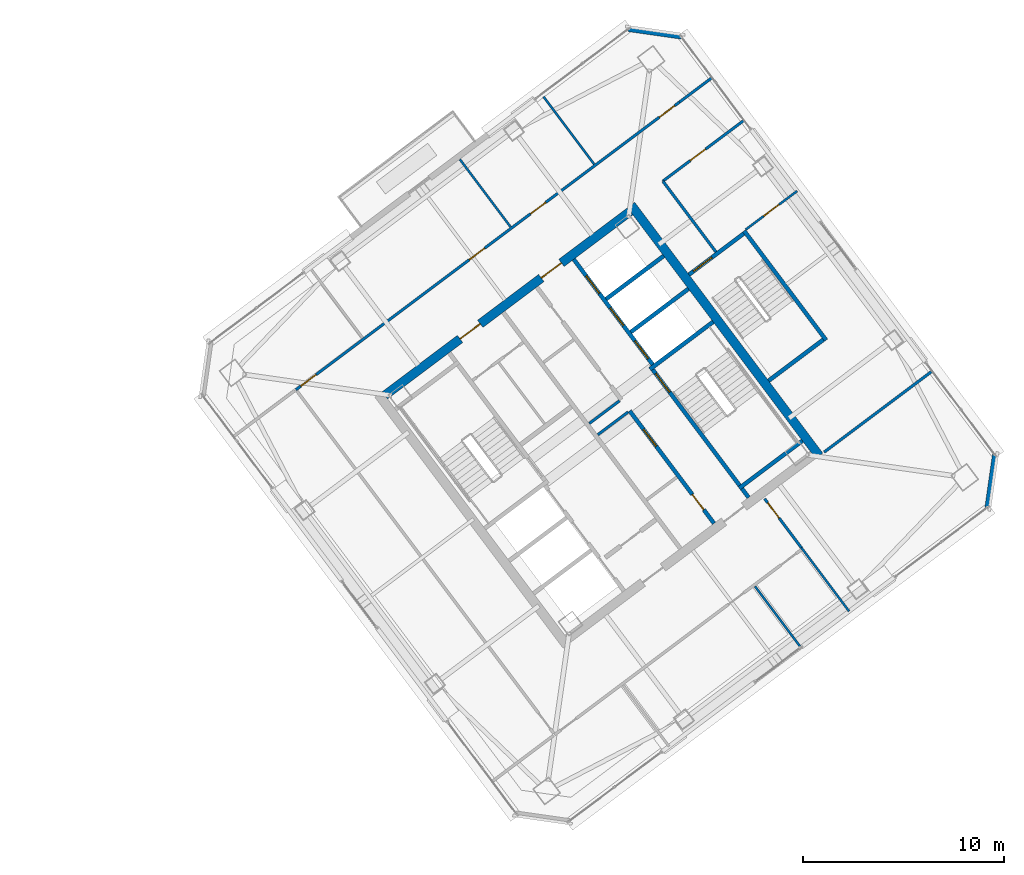
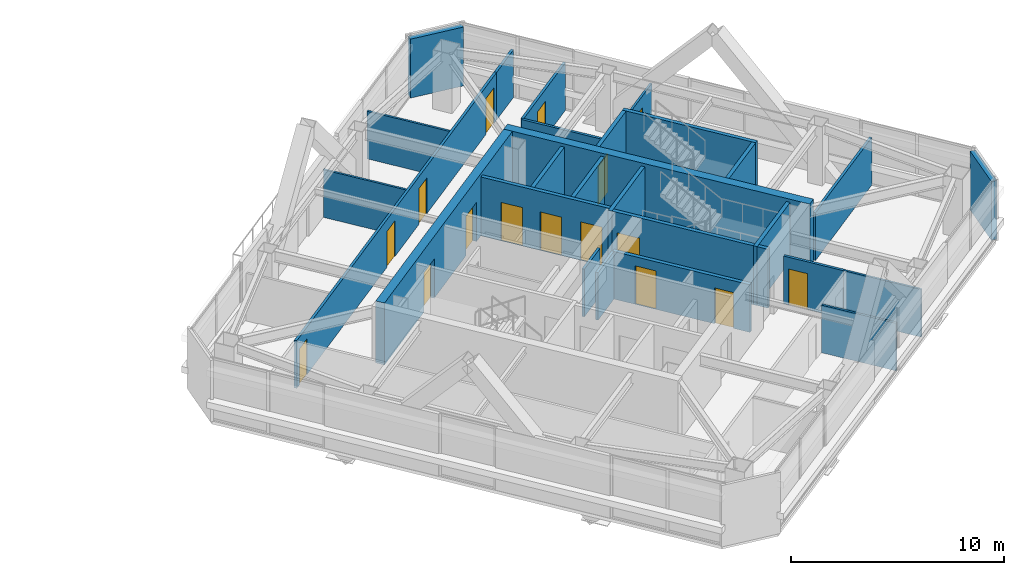
# One storey, part 33 of 39: 27 walls, 16 doors, 16 openings.
"""IFC4 building model written with IfcOpenShell, lengths in metres."""

from ifc_helpers import new_model, si_unit, direction, frame, frame_2d, origin, place, context, subcontext, project, spatial, rectangle, extrude, material, layer, layer_set, type_object, element, fill, save


model = new_model("IFC4")

# Units and contexts
model_context = context("Model", 3, precision=1e-05, world=origin(), true_north=direction((0.0, 1.0)))
body_context = subcontext(model_context, "Body", "Model", "MODEL_VIEW")
ifc_project = project(units=[si_unit("LENGTHUNIT", "METRE"), si_unit("AREAUNIT", "SQUARE_METRE"), si_unit("VOLUMEUNIT", "CUBIC_METRE"), si_unit("PLANEANGLEUNIT", "RADIAN"), si_unit("MASSUNIT", "GRAM", prefix="KILO")], contexts=[model_context])

# Site, building, storey
site_placement = place(None, origin())
site = spatial("IfcSite", under=ifc_project, at=site_placement, CompositionType="ELEMENT")
building_placement = place(site_placement, origin())
building = spatial("IfcBuilding", under=site, at=building_placement, Name="Tashvorn Skyway Center", CompositionType="ELEMENT")
storey_placement = place(building_placement, frame((0.0, 0.0, 239.699951171875)))
storey = spatial("IfcBuildingStorey", under=building, at=storey_placement, Name="L65", CompositionType="ELEMENT", Elevation=239.699951171875)

# Wall
ifc_material_1 = material(Name="Concrete C50/60", Category="concrete")
ifc_layer_1 = layer(ifc_material_1, 0.449951171875)
ifc_layer_set_1 = layer_set([ifc_layer_1], Name="Concrete C50/60")
wall_type_1 = type_object("IfcWallType", Name="WALL-CORE-450", PredefinedType="SHEAR", material=ifc_layer_set_1)
wall_1_placement = place(storey_placement, frame((115.60400390625, 42.952880859375, 0.0), z_axis=(0.0, 0.0, 1.0), x_axis=(0.600005007985, -0.799996243986, 0.0)))
element("IfcWall", 1, at=wall_1_placement, inside=storey, type_object=wall_type_1, Name="Tower 2 L65 East Core Shear Wall", PredefinedType="SHEAR", context=body_context, shape_type="SweptSolid", body=[
    extrude(rectangle(XDim=15.60009765625, YDim=0.449951171875, at=frame_2d((7.800048828125, 0.0))), origin(), (0.0, 0.0, 1.0), 3.550048828125),
])

# Wall, openings, doors
wall_2_placement = place(storey_placement, frame((103.35107421875, 33.48193359375, 0.0), z_axis=(0.0, 0.0, 1.0), x_axis=(0.8, 0.6, 0.0)))
wall_2 = element("IfcWall", 2, at=wall_2_placement, inside=storey, type_object=wall_type_1, Name="Tower 2 L65 North Core Shear Wall", PredefinedType="SHEAR", context=body_context, shape_type="SweptSolid", body=[
    extrude(rectangle(XDim=15.260009765625, YDim=0.449951171875, at=frame_2d((7.6298828125, 0.0))), origin(), (0.0, 0.0, 1.0), 3.550048828125),
])
opening_1_placement = place(wall_2_placement, frame((4.679931640625, 0.0, 0.0)))
opening_1 = element("IfcOpeningElement", 3, at=opening_1_placement, cuts=wall_2, Name="Opening D-FFL-1250", PredefinedType="OPENING", context=body_context, shape_type="SweptSolid", body=[
    extrude(rectangle(XDim=1.25, YDim=2.25, at=frame_2d((0.625, 1.125))), frame((0.0, 0.23486328125, 0.0), z_axis=(0.0, -1.0, 0.0), x_axis=(1.0, 0.0, 0.0)), (0.0, 0.0, 1.0), 0.469970703125),
])
opening_2_placement = place(wall_2_placement, frame((9.72998046875, 0.0, 0.0)))
opening_2 = element("IfcOpeningElement", 4, at=opening_2_placement, cuts=wall_2, Name="Opening D-FFL-1250", PredefinedType="OPENING", context=body_context, shape_type="SweptSolid", body=[
    extrude(rectangle(XDim=1.25, YDim=2.25, at=frame_2d((0.625, 1.125))), frame((0.0, 0.23486328125, 0.0), z_axis=(0.0, -1.0, 0.0), x_axis=(1.0, 0.0, 0.0)), (0.0, 0.0, 1.0), 0.469970703125),
])
ifc_material_2 = material(Name="Hollow galvanized steel fire door assembly", Category="steel")
door_type_1 = type_object("IfcDoorType", Name="DOOR-FFL-1250", OperationType="NOTDEFINED", PredefinedType="DOOR", material=ifc_material_2)
door_1_placement = place(opening_1_placement, origin())
door_1 = element("IfcDoor", 5, at=door_1_placement, inside=storey, type_object=door_type_1, Name="Tower 2 L65 Core North Service Lobby Door", OperationType="SINGLE_SWING_LEFT", OverallHeight=2.25, OverallWidth=1.25, PredefinedType="DOOR", context=body_context, shape_type="SweptSolid", body=[
    extrude(rectangle(XDim=1.25, YDim=2.25, at=frame_2d((0.625, 1.125))), frame((0.0, 0.02490234375, 0.0), z_axis=(0.0, -1.0, 0.0), x_axis=(1.0, 0.0, 0.0)), (0.0, 0.0, 1.0), 0.050048828125),
])
fill(opening_1, door_1)
door_2_placement = place(opening_2_placement, origin())
door_2 = element("IfcDoor", 6, at=door_2_placement, inside=storey, type_object=door_type_1, Name="Tower 2 L65 Core North Lift Lobby Door", OperationType="SINGLE_SWING_RIGHT", OverallHeight=2.25, OverallWidth=1.25, PredefinedType="DOOR", context=body_context, shape_type="SweptSolid", body=[
    extrude(rectangle(XDim=1.25, YDim=2.25, at=frame_2d((0.625, 1.125))), frame((0.0, 0.02490234375, 0.0), z_axis=(0.0, -1.0, 0.0), x_axis=(1.0, 0.0, 0.0)), (0.0, 0.0, 1.0), 0.050048828125),
])
fill(opening_2, door_2)

# Walls
ifc_material_3 = material(Name="Precast concrete C40/50", Category="concrete")
ifc_layer_2 = layer(ifc_material_3, 0.280029296875)
ifc_layer_set_2 = layer_set([ifc_layer_2], Name="Precast concrete C40/50")
wall_type_2 = type_object("IfcWallType", Name="WALL-EXT-280", PredefinedType="SOLIDWALL", material=ifc_layer_set_2)
for number, where, z_axis, x_axis, name in (
    (7, (115.4599609375, 51.719970703125, 0.0), (0.0, 0.0, 1.0), (0.989956760759, -0.141370477216, 0.0), "Tower 2 L65 NE Precast Chamfer Wall"),
    (8, (133.719970703125, 30.5400390625, 0.0), (0.0, 0.0, 1.0), (-0.141370477216, -0.989956760759, 0.0), "Tower 2 L65 SE Precast Chamfer Wall"),
):
    element("IfcWall", number, at=place(storey_placement, frame(where, z_axis=z_axis, x_axis=x_axis)), inside=storey, type_object=wall_type_2, Name=name, PredefinedType="SOLIDWALL", context=body_context, shape_type="SweptSolid", body=[
        extrude(rectangle(XDim=2.687255859375, YDim=0.280029296875, at=frame_2d((1.34375, 0.0))), origin(), (0.0, 0.0, 1.0), 3.3701171875),
    ])
ifc_material_4 = material(Name="Gypsum board on cold-formed steel stud framing", Category="steel")
ifc_layer_3 = layer(ifc_material_4, 0.110107421875)
ifc_layer_set_3 = layer_set([ifc_layer_3], Name="Gypsum board on cold-formed steel stud framing")
wall_type_3 = type_object("IfcWallType", Name="WALL-PART-110", PredefinedType="PARTITIONING", material=ifc_layer_set_3)
for number, where, z_axis, x_axis, name in (
    (9, (109.60205078125, 41.864013671875, 0.0), (0.0, 0.0, 1.0), (-0.59999069958, 0.80000697523, 0.0), "Tower 2 L65 North Suite Partition 2"),
    (10, (113.761962890625, 44.98388671875, 0.0), (0.0, 0.0, 1.0), (-0.59999069958, 0.80000697523, 0.0), "Tower 2 L65 North Suite Partition 3"),
):
    element("IfcWall", number, at=place(storey_placement, frame(where, z_axis=z_axis, x_axis=x_axis)), inside=storey, type_object=wall_type_3, Name=name, PredefinedType="PARTITIONING", context=body_context, shape_type="SweptSolid", body=[
        extrude(rectangle(XDim=4.2001953125, YDim=0.110107421875, at=frame_2d((2.10009765625, 0.0))), origin(), (0.0, 0.0, 1.0), 2.72314453125),
    ])
wall_3_placement = place(storey_placement, frame((124.048095703125, 20.93603515625, 0.0), z_axis=(0.0, 0.0, 1.0), x_axis=(-0.6, 0.8, 0.0)))
element("IfcWall", 11, at=wall_3_placement, inside=storey, type_object=wall_type_3, Name="Tower 2 L65 South Suite Partition 2", PredefinedType="PARTITIONING", context=body_context, shape_type="SweptSolid", body=[
    extrude(rectangle(XDim=3.800048828125, YDim=0.110107421875, at=frame_2d((1.89990234375, 0.0))), origin(), (0.0, 0.0, 1.0), 2.72314453125),
])
wall_4_placement = place(storey_placement, frame((126.447998046875, 22.736083984375, 0.0), z_axis=(0.0, 0.0, 1.0), x_axis=(-0.6, 0.8, 0.0)))
element("IfcWall", 12, at=wall_4_placement, inside=storey, type_object=wall_type_3, Name="Tower 2 L65 South-East Suite Wall", PredefinedType="PARTITIONING", context=body_context, shape_type="SweptSolid", body=[
    extrude(rectangle(XDim=3.9599609375, YDim=0.110107421875, at=frame_2d((1.97998046875, 0.0))), origin(), (0.0, 0.0, 1.0), 2.72314453125),
])

# Wall, opening, door
wall_5_placement = place(storey_placement, frame((123.864013671875, 43.64794921875, 0.0), z_axis=(0.0, 0.0, 1.0), x_axis=(-0.800018310174, -0.599975585658, 0.0)))
wall_5 = element("IfcWall", 13, at=wall_5_placement, inside=storey, type_object=wall_type_3, Name="Tower 2 L65 East Suite Partition 1", PredefinedType="PARTITIONING", context=body_context, shape_type="SweptSolid", body=[
    extrude(rectangle(XDim=3.199951171875, YDim=0.110107421875, at=frame_2d((1.60009765625, 0.0))), origin(), (0.0, 0.0, 1.0), 2.72314453125),
])
opening_3_placement = place(wall_5_placement, frame((1.125, 0.0, 0.0)))
opening_3 = element("IfcOpeningElement", 14, at=opening_3_placement, cuts=wall_5, Name="Opening D-INT-950", PredefinedType="OPENING", context=body_context, shape_type="SweptSolid", body=[
    extrude(rectangle(XDim=0.949951171875, YDim=2.050048828125, at=frame_2d((0.47509765625, 1.02490234375))), frame((0.0, 0.06494140625, 0.0), z_axis=(0.0, -1.0, 0.0), x_axis=(1.0, 0.0, 0.0)), (0.0, 0.0, 1.0), 0.130126953125),
])
ifc_material_5 = material(Name="Solid-core architectural oak veneer door")
door_type_2 = type_object("IfcDoorType", Name="DOOR-INT-950", OperationType="NOTDEFINED", PredefinedType="DOOR", material=ifc_material_5)
door_3_placement = place(opening_3_placement, origin())
door_3 = element("IfcDoor", 15, at=door_3_placement, inside=storey, type_object=door_type_2, Name="Tower 2 L65 Collaborative Studio Door", OperationType="SINGLE_SWING_RIGHT", OverallHeight=2.050048828125, OverallWidth=0.949951171875, PredefinedType="DOOR", context=body_context, shape_type="SweptSolid", body=[
    extrude(rectangle(XDim=0.949951171875, YDim=2.050048828125, at=frame_2d((0.47509765625, 1.02490234375))), frame((0.0, 0.02490234375, 0.0), z_axis=(0.0, -1.0, 0.0), x_axis=(1.0, 0.0, 0.0)), (0.0, 0.0, 1.0), 0.050048828125),
])
fill(opening_3, door_3)

# Wall
ifc_layer_4 = layer(ifc_material_4, 0.135009765625)
ifc_layer_set_4 = layer_set([ifc_layer_4], Name="Gypsum board on cold-formed steel stud framing")
wall_type_4 = type_object("IfcWallType", Name="WALL-PART-135", PredefinedType="PARTITIONING", material=ifc_layer_set_4)
wall_6_placement = place(storey_placement, frame((119.823974609375, 40.617919921875, 0.0), z_axis=(0.0, 0.0, 1.0), x_axis=(-0.599982243973, 0.800013316712, 0.0)))
element("IfcWall", 16, at=wall_6_placement, inside=storey, type_object=wall_type_4, Name="Tower 2 L65 Stair 3 Access Corridor Wall", PredefinedType="PARTITIONING", context=body_context, shape_type="SweptSolid", body=[
    extrude(rectangle(XDim=4.39990234375, YDim=0.135009765625, at=frame_2d((2.199951171875, 0.0))), origin(), (0.0, 0.0, 1.0), 2.72314453125),
])

# Wall, openings, doors
wall_7_placement = place(storey_placement, frame((98.929931640625, 33.760009765625, 0.0), z_axis=(0.0, 0.0, 1.0), x_axis=(0.8, 0.6, 0.0)))
wall_7 = element("IfcWall", 17, at=wall_7_placement, inside=storey, type_object=wall_type_4, Name="Tower 2 L65 North Suite Wall", PredefinedType="PARTITIONING", context=body_context, shape_type="SweptSolid", body=[
    extrude(rectangle(XDim=23.85009765625, YDim=0.135009765625, at=frame_2d((11.925048828125, 0.0))), origin(), (0.0, 0.0, 1.0), 2.72314453125),
])
opening_4_placement = place(wall_7_placement, frame((0.300048828125, 0.0, 0.0)))
opening_4 = element("IfcOpeningElement", 18, at=opening_4_placement, cuts=wall_7, Name="Opening D-INT-950", PredefinedType="OPENING", context=body_context, shape_type="SweptSolid", body=[
    extrude(rectangle(XDim=0.949951171875, YDim=2.050048828125, at=frame_2d((0.47509765625, 1.02490234375))), frame((0.0, 0.077392578125, 0.0), z_axis=(0.0, -1.0, 0.0), x_axis=(1.0, 0.0, 0.0)), (0.0, 0.0, 1.0), 0.155029296875),
])
opening_5_placement = place(wall_7_placement, frame((10.778564453125, 0.0, 0.0)))
opening_5 = element("IfcOpeningElement", 19, at=opening_5_placement, cuts=wall_7, Name="Opening D-INT-950", PredefinedType="OPENING", context=body_context, shape_type="SweptSolid", body=[
    extrude(rectangle(XDim=0.949951171875, YDim=2.050048828125, at=frame_2d((0.47509765625, 1.02490234375))), frame((0.0, 0.077392578125, 0.0), z_axis=(0.0, -1.0, 0.0), x_axis=(1.0, 0.0, 0.0)), (0.0, 0.0, 1.0), 0.155029296875),
])
opening_6_placement = place(wall_7_placement, frame((14.58544921875, 0.0, 0.0)))
opening_6 = element("IfcOpeningElement", 20, at=opening_6_placement, cuts=wall_7, Name="Opening D-INT-950", PredefinedType="OPENING", context=body_context, shape_type="SweptSolid", body=[
    extrude(rectangle(XDim=0.949951171875, YDim=2.050048828125, at=frame_2d((0.47509765625, 1.02490234375))), frame((0.0, 0.077392578125, 0.0), z_axis=(0.0, -1.0, 0.0), x_axis=(1.0, 0.0, 0.0)), (0.0, 0.0, 1.0), 0.155029296875),
])
opening_7_placement = place(wall_7_placement, frame((22.60009765625, 0.0, 0.0)))
opening_7 = element("IfcOpeningElement", 21, at=opening_7_placement, cuts=wall_7, Name="Opening D-INT-950", PredefinedType="OPENING", context=body_context, shape_type="SweptSolid", body=[
    extrude(rectangle(XDim=0.949951171875, YDim=2.050048828125, at=frame_2d((0.47509765625, 1.02490234375))), frame((0.0, 0.077392578125, 0.0), z_axis=(0.0, -1.0, 0.0), x_axis=(1.0, 0.0, 0.0)), (0.0, 0.0, 1.0), 0.155029296875),
])
door_4_placement = place(opening_4_placement, origin())
door_4 = element("IfcDoor", 22, at=door_4_placement, inside=storey, type_object=door_type_2, Name="Tower 2 L65 Gallery Showroom Door", OperationType="SINGLE_SWING_LEFT", OverallHeight=2.050048828125, OverallWidth=0.949951171875, PredefinedType="DOOR", context=body_context, shape_type="SweptSolid", body=[
    extrude(rectangle(XDim=0.949951171875, YDim=2.050048828125, at=frame_2d((0.47509765625, 1.02490234375))), frame((0.0, 0.02490234375, 0.0), z_axis=(0.0, -1.0, 0.0), x_axis=(1.0, 0.0, 0.0)), (0.0, 0.0, 1.0), 0.050048828125),
])
fill(opening_4, door_4)
door_5_placement = place(opening_5_placement, origin())
door_5 = element("IfcDoor", 23, at=door_5_placement, inside=storey, type_object=door_type_2, Name="Tower 2 L65 Gallery Showroom Door", OperationType="SINGLE_SWING_RIGHT", OverallHeight=2.050048828125, OverallWidth=0.949951171875, PredefinedType="DOOR", context=body_context, shape_type="SweptSolid", body=[
    extrude(rectangle(XDim=0.949951171875, YDim=2.050048828125, at=frame_2d((0.47509765625, 1.02490234375))), frame((0.0, 0.02490234375, 0.0), z_axis=(0.0, -1.0, 0.0), x_axis=(1.0, 0.0, 0.0)), (0.0, 0.0, 1.0), 0.050048828125),
])
fill(opening_5, door_5)
door_6_placement = place(opening_6_placement, origin())
door_6 = element("IfcDoor", 24, at=door_6_placement, inside=storey, type_object=door_type_2, Name="Tower 2 L65 Reading Lounge Door", OperationType="SINGLE_SWING_LEFT", OverallHeight=2.050048828125, OverallWidth=0.949951171875, PredefinedType="DOOR", context=body_context, shape_type="SweptSolid", body=[
    extrude(rectangle(XDim=0.949951171875, YDim=2.050048828125, at=frame_2d((0.47509765625, 1.02490234375))), frame((0.0, 0.02490234375, 0.0), z_axis=(0.0, -1.0, 0.0), x_axis=(1.0, 0.0, 0.0)), (0.0, 0.0, 1.0), 0.050048828125),
])
fill(opening_6, door_6)
door_7_placement = place(opening_7_placement, origin())
door_7 = element("IfcDoor", 25, at=door_7_placement, inside=storey, type_object=door_type_2, Name="Tower 2 L65 Conference Room Door", OperationType="SINGLE_SWING_RIGHT", OverallHeight=2.050048828125, OverallWidth=0.949951171875, PredefinedType="DOOR", context=body_context, shape_type="SweptSolid", body=[
    extrude(rectangle(XDim=0.949951171875, YDim=2.050048828125, at=frame_2d((0.47509765625, 1.02490234375))), frame((0.0, 0.02490234375, 0.0), z_axis=(0.0, -1.0, 0.0), x_axis=(1.0, 0.0, 0.0)), (0.0, 0.0, 1.0), 0.050048828125),
])
fill(opening_7, door_7)

# Wall
wall_8_placement = place(storey_placement, frame((118.010009765625, 48.070068359375, 0.0), z_axis=(0.0, 0.0, 1.0), x_axis=(0.8, 0.6, 0.0)))
element("IfcWall", 26, at=wall_8_placement, inside=storey, type_object=wall_type_4, Name="Tower 2 L65 North-East Suite South Wall", PredefinedType="PARTITIONING", context=body_context, shape_type="SweptSolid", body=[
    extrude(rectangle(XDim=2.030029296875, YDim=0.135009765625, at=frame_2d((1.01513671875, 0.0))), origin(), (0.0, 0.0, 1.0), 2.72314453125),
])

# Wall, opening, door
wall_9_placement = place(storey_placement, frame((122.248046875, 28.3359375, 0.0), z_axis=(0.0, 0.0, 1.0), x_axis=(0.600012849883, -0.799990362426, 0.0)))
wall_9 = element("IfcWall", 27, at=wall_9_placement, inside=storey, type_object=wall_type_4, Name="Tower 2 L65 South Gallery End Wall", PredefinedType="PARTITIONING", context=body_context, shape_type="SweptSolid", body=[
    extrude(rectangle(XDim=3.039794921875, YDim=0.135009765625, at=frame_2d((1.52001953125, 0.0))), origin(), (0.0, 0.0, 1.0), 2.72314453125),
])
opening_8_placement = place(wall_9_placement, frame((0.25, 0.0, 0.0)))
opening_8 = element("IfcOpeningElement", 28, at=opening_8_placement, cuts=wall_9, Name="Opening D-INT-950", PredefinedType="OPENING", context=body_context, shape_type="SweptSolid", body=[
    extrude(rectangle(XDim=0.949951171875, YDim=2.050048828125, at=frame_2d((0.47509765625, 1.02490234375))), frame((0.0, 0.077392578125, 0.0), z_axis=(0.0, -1.0, 0.0), x_axis=(1.0, 0.0, 0.0)), (0.0, 0.0, 1.0), 0.155029296875),
])
door_8_placement = place(opening_8_placement, origin())
door_8 = element("IfcDoor", 29, at=door_8_placement, inside=storey, type_object=door_type_2, Name="Tower 2 L65 Conference Room Door", OperationType="SINGLE_SWING_RIGHT", OverallHeight=2.050048828125, OverallWidth=0.949951171875, PredefinedType="DOOR", context=body_context, shape_type="SweptSolid", body=[
    extrude(rectangle(XDim=0.949951171875, YDim=2.050048828125, at=frame_2d((0.47509765625, 1.02490234375))), frame((0.0, 0.02490234375, 0.0), z_axis=(0.0, -1.0, 0.0), x_axis=(1.0, 0.0, 0.0)), (0.0, 0.0, 1.0), 0.050048828125),
])
fill(opening_8, door_8)

wall_10_placement = place(storey_placement, frame((121.22412109375, 47.16796875, 0.0), z_axis=(0.0, 0.0, 1.0), x_axis=(-0.8, -0.6, 0.0)))
wall_10 = element("IfcWall", 30, at=wall_10_placement, inside=storey, type_object=wall_type_4, Name="Tower 2 L65 East Suite North Wall", PredefinedType="PARTITIONING", context=body_context, shape_type="SweptSolid", body=[
    extrude(rectangle(XDim=5.050048828125, YDim=0.135009765625, at=frame_2d((2.52490234375, 0.0))), origin(), (0.0, 0.0, 1.0), 2.72314453125),
])
opening_9_placement = place(wall_10_placement, frame((2.39990234375, 0.0, 0.0)))
opening_9 = element("IfcOpeningElement", 31, at=opening_9_placement, cuts=wall_10, Name="Opening D-INT-950", PredefinedType="OPENING", context=body_context, shape_type="SweptSolid", body=[
    extrude(rectangle(XDim=0.949951171875, YDim=2.050048828125, at=frame_2d((0.47509765625, 1.02490234375))), frame((0.0, 0.077392578125, 0.0), z_axis=(0.0, -1.0, 0.0), x_axis=(1.0, 0.0, 0.0)), (0.0, 0.0, 1.0), 0.155029296875),
])
door_9_placement = place(opening_9_placement, origin())
door_9 = element("IfcDoor", 32, at=door_9_placement, inside=storey, type_object=door_type_2, Name="Tower 2 L65 Conference Room Door", OperationType="SINGLE_SWING_LEFT", OverallHeight=2.050048828125, OverallWidth=0.949951171875, PredefinedType="DOOR", context=body_context, shape_type="SweptSolid", body=[
    extrude(rectangle(XDim=0.949951171875, YDim=2.050048828125, at=frame_2d((0.47509765625, 1.02490234375))), frame((0.0, 0.02490234375, 0.0), z_axis=(0.0, -1.0, 0.0), x_axis=(1.0, 0.0, 0.0)), (0.0, 0.0, 1.0), 0.050048828125),
])
fill(opening_9, door_9)

# Walls
wall_11_placement = place(storey_placement, frame((125.2080078125, 30.656005859375, 0.0), z_axis=(0.0, 0.0, 1.0), x_axis=(0.8, 0.6, 0.0)))
element("IfcWall", 33, at=wall_11_placement, inside=storey, type_object=wall_type_4, Name="Tower 2 L65 East Suite South Wall", PredefinedType="PARTITIONING", context=body_context, shape_type="SweptSolid", body=[
    extrude(rectangle(XDim=6.719970703125, YDim=0.135009765625, at=frame_2d((3.35986328125, 0.0))), origin(), (0.0, 0.0, 1.0), 2.72314453125),
])
ifc_layer_5 = layer(ifc_material_4, 0.135009765625)
ifc_layer_set_5 = layer_set([ifc_layer_5], Name="Gypsum board on cold-formed steel stud framing")
wall_type_5 = type_object("IfcWallType", Name="WALL-RATED-135", PredefinedType="PARTITIONING", material=ifc_layer_set_5)
wall_12_placement = place(storey_placement, frame((113.946044921875, 31.52197265625, 0.0), z_axis=(0.0, 0.0, 1.0), x_axis=(0.8, 0.6, 0.0)))
element("IfcWall", 34, at=wall_12_placement, inside=storey, type_object=wall_type_5, Name="Tower 2 L65 Core Room Partition", PredefinedType="PARTITIONING", context=body_context, shape_type="SweptSolid", body=[
    extrude(rectangle(XDim=1.8798828125, YDim=0.135009765625, at=frame_2d((0.93994140625, 0.0))), origin(), (0.0, 0.0, 1.0), 2.72314453125),
])
wall_13_placement = place(storey_placement, frame((113.52587890625, 32.08203125, 0.0), z_axis=(0.0, 0.0, 1.0), x_axis=(0.800046745961, 0.599937666993, 0.0)))
element("IfcWall", 35, at=wall_13_placement, inside=storey, type_object=wall_type_5, Name="Tower 2 L65 Core Room Partition", PredefinedType="PARTITIONING", context=body_context, shape_type="SweptSolid", body=[
    extrude(rectangle(XDim=1.880126953125, YDim=0.135009765625, at=frame_2d((0.93994140625, 0.0))), origin(), (0.0, 0.0, 1.0), 2.72314453125),
])
ifc_material_6 = material(Name="Concrete C40/50", Category="concrete")
ifc_layer_6 = layer(ifc_material_6, 0.199951171875)
ifc_layer_set_6 = layer_set([ifc_layer_6], Name="Concrete C40/50")
wall_type_6 = type_object("IfcWallType", Name="WALL-SHAFT-200", PredefinedType="SOLIDWALL", material=ifc_layer_set_6)
for number, where, z_axis, x_axis, name in (
    (36, (115.590087890625, 36.6298828125, 0.0), (0.0, 0.0, 1.0), (0.799975449747, 0.600032732276, 0.0), "Tower 2 L65 High-Rise Shaft Divider"),
    (37, (114.360107421875, 38.27001953125, 0.0), (0.0, 0.0, 1.0), (0.800008183455, 0.599989088572, 0.0), "Tower 2 L65 High-Rise Shaft Divider"),
):
    element("IfcWall", number, at=place(storey_placement, frame(where, z_axis=z_axis, x_axis=x_axis)), inside=storey, type_object=wall_type_6, Name=name, PredefinedType="SOLIDWALL", context=body_context, shape_type="SweptSolid", body=[
        extrude(rectangle(XDim=3.580078125, YDim=0.199951171875, at=frame_2d((1.7900390625, 0.0))), origin(), (0.0, 0.0, 1.0), 3.3701171875),
    ])

# Wall, openings, doors
wall_14_placement = place(storey_placement, frame((119.72998046875, 27.110107421875, 0.0), z_axis=(0.0, 0.0, 1.0), x_axis=(-0.600005580459, 0.799995814625, 0.0)))
wall_14 = element("IfcWall", 38, at=wall_14_placement, inside=storey, type_object=wall_type_6, Name="Tower 2 L65 Low-Rise Core Wall", PredefinedType="SOLIDWALL", context=body_context, shape_type="SweptSolid", body=[
    extrude(rectangle(XDim=6.999755859375, YDim=0.199951171875, at=frame_2d((3.5, 0.0))), origin(), (0.0, 0.0, 1.0), 2.72314453125),
])
opening_10_placement = place(wall_14_placement, frame((0.85009765625, 0.0, 0.0)))
opening_10 = element("IfcOpeningElement", 39, at=opening_10_placement, cuts=wall_14, Name="Opening D-RT-950", PredefinedType="OPENING", context=body_context, shape_type="SweptSolid", body=[
    extrude(rectangle(XDim=0.949951171875, YDim=2.050048828125, at=frame_2d((0.47509765625, 1.02490234375))), frame((0.0, 0.10986328125, 0.0), z_axis=(0.0, -1.0, 0.0), x_axis=(1.0, 0.0, 0.0)), (0.0, 0.0, 1.0), 0.219970703125),
])
opening_11_placement = place(wall_14_placement, frame((4.800048828125, 0.0, 0.0)))
opening_11 = element("IfcOpeningElement", 40, at=opening_11_placement, cuts=wall_14, Name="Opening D-RT-1050", PredefinedType="OPENING", context=body_context, shape_type="SweptSolid", body=[
    extrude(rectangle(XDim=1.050048828125, YDim=2.199951171875, at=frame_2d((0.52490234375, 1.10009765625))), frame((0.0, 0.10986328125, 0.0), z_axis=(0.0, -1.0, 0.0), x_axis=(1.0, 0.0, 0.0)), (0.0, 0.0, 1.0), 0.219970703125),
])
door_type_3 = type_object("IfcDoorType", Name="DOOR-RATED-1050", OperationType="NOTDEFINED", PredefinedType="DOOR", material=ifc_material_2)
door_10_placement = place(opening_11_placement, origin())
door_10 = element("IfcDoor", 41, at=door_10_placement, inside=storey, type_object=door_type_3, Name="Tower 2 L65 Freed Core Room Door", OperationType="SINGLE_SWING_RIGHT", OverallHeight=2.199951171875, OverallWidth=1.050048828125, PredefinedType="DOOR", context=body_context, shape_type="SweptSolid", body=[
    extrude(rectangle(XDim=1.050048828125, YDim=2.199951171875, at=frame_2d((0.52490234375, 1.10009765625))), frame((0.0, 0.02490234375, 0.0), z_axis=(0.0, -1.0, 0.0), x_axis=(1.0, 0.0, 0.0)), (0.0, 0.0, 1.0), 0.050048828125),
])
fill(opening_11, door_10)
door_type_4 = type_object("IfcDoorType", Name="DOOR-RATED-950", OperationType="NOTDEFINED", PredefinedType="DOOR", material=ifc_material_2)
door_11_placement = place(opening_10_placement, origin())
door_11 = element("IfcDoor", 42, at=door_11_placement, inside=storey, type_object=door_type_4, Name="Tower 2 L65 Core Print Room Door", OperationType="SINGLE_SWING_LEFT", OverallHeight=2.050048828125, OverallWidth=0.949951171875, PredefinedType="DOOR", context=body_context, shape_type="SweptSolid", body=[
    extrude(rectangle(XDim=0.949951171875, YDim=2.050048828125, at=frame_2d((0.47509765625, 1.02490234375))), frame((0.0, 0.02490234375, 0.0), z_axis=(0.0, -1.0, 0.0), x_axis=(1.0, 0.0, 0.0)), (0.0, 0.0, 1.0), 0.050048828125),
])
fill(opening_10, door_11)

# Wall, opening, door
ifc_layer_7 = layer(ifc_material_6, 0.199951171875)
ifc_layer_set_7 = layer_set([ifc_layer_7], Name="Concrete C40/50")
wall_type_7 = type_object("IfcWallType", Name="WALL-STSHF-200", PredefinedType="SHEAR", material=ifc_layer_set_7)
wall_15_placement = place(storey_placement, frame((116.56005859375, 34.919921875, 0.0), z_axis=(0.0, 0.0, 1.0), x_axis=(0.59999041401, -0.800007189403, 0.0)))
wall_15 = element("IfcWall", 43, at=wall_15_placement, inside=storey, type_object=wall_type_7, Name="Tower 2 L65 Stair 2 Enclosure Wall", PredefinedType="SHEAR", context=body_context, shape_type="SweptSolid", body=[
    extrude(rectangle(XDim=8.14990234375, YDim=0.199951171875, at=frame_2d((4.074951171875, 0.0))), origin(), (0.0, 0.0, 1.0), 3.3701171875),
])
opening_12_placement = place(wall_15_placement, frame((0.449951171875, 0.0, 0.0)))
opening_12 = element("IfcOpeningElement", 44, at=opening_12_placement, cuts=wall_15, Name="Opening D-ST-1150", PredefinedType="OPENING", context=body_context, shape_type="SweptSolid", body=[
    extrude(rectangle(XDim=1.14990234375, YDim=2.199951171875, at=frame_2d((0.574951171875, 1.10009765625))), frame((0.0, 0.10986328125, 0.0), z_axis=(0.0, -1.0, 0.0), x_axis=(1.0, 0.0, 0.0)), (0.0, 0.0, 1.0), 0.219970703125),
])
door_type_5 = type_object("IfcDoorType", Name="DOOR-STAIR-1150", OperationType="NOTDEFINED", PredefinedType="DOOR", material=ifc_material_2)
door_12_placement = place(opening_12_placement, origin())
door_12 = element("IfcDoor", 45, at=door_12_placement, inside=storey, type_object=door_type_5, Name="Tower 2 L65 Exit Stair 2 Door", OperationType="SINGLE_SWING_RIGHT", OverallHeight=2.199951171875, OverallWidth=1.14990234375, PredefinedType="DOOR", context=body_context, shape_type="SweptSolid", body=[
    extrude(rectangle(XDim=1.14990234375, YDim=2.199951171875, at=frame_2d((0.574951171875, 1.10009765625))), frame((0.0, 0.02490234375, 0.0), z_axis=(0.0, -1.0, 0.0), x_axis=(1.0, 0.0, 0.0)), (0.0, 0.0, 1.0), 0.050048828125),
])
fill(opening_12, door_12)

# Walls
for number, where, z_axis, x_axis, name in (
    (46, (116.5400390625, 34.780029296875, 0.0), (0.0, 0.0, 1.0), (0.800014909178, 0.599980120581, 0.0), "Tower 2 L65 Stair 2 North Wall"),
    (47, (120.97998046875, 28.860107421875, 0.0), (0.0, 0.0, 1.0), (0.800014909178, 0.599980120581, 0.0), "Tower 2 L65 Stair 2 South Wall"),
):
    element("IfcWall", number, at=place(storey_placement, frame(where, z_axis=z_axis, x_axis=x_axis)), inside=storey, type_object=wall_type_7, Name=name, PredefinedType="SHEAR", context=body_context, shape_type="SweptSolid", body=[
        extrude(rectangle(XDim=3.929931640625, YDim=0.199951171875, at=frame_2d((1.96484375, 0.0))), origin(), (0.0, 0.0, 1.0), 3.3701171875),
    ])

# Wall, openings, doors
wall_16_placement = place(storey_placement, frame((112.75, 40.25, 0.0), z_axis=(0.0, 0.0, 1.0), x_axis=(0.599994036198, -0.800004472816, 0.0)))
wall_16 = element("IfcWall", 48, at=wall_16_placement, inside=storey, type_object=wall_type_7, Name="Tower 2 L65 High-Rise Lift Shaft Front Wall", PredefinedType="SHEAR", context=body_context, shape_type="SweptSolid", body=[
    extrude(rectangle(XDim=6.550048828125, YDim=0.199951171875, at=frame_2d((3.27490234375, 0.0))), origin(), (0.0, 0.0, 1.0), 3.3701171875),
])
opening_13_placement = place(wall_16_placement, frame((5.074951171875, 0.0, 0.0)))
opening_13 = element("IfcOpeningElement", 49, at=opening_13_placement, cuts=wall_16, Name="Opening LD-HR-T2-1-L65", PredefinedType="OPENING", context=body_context, shape_type="SweptSolid", body=[
    extrude(rectangle(XDim=1.10009765625, YDim=2.199951171875, at=frame_2d((0.550048828125, 1.10009765625))), frame((0.0, 0.10986328125, 0.0), z_axis=(0.0, -1.0, 0.0), x_axis=(1.0, 0.0, 0.0)), (0.0, 0.0, 1.0), 0.219970703125),
])
opening_14_placement = place(wall_16_placement, frame((3.02490234375, 0.0, 0.0)))
opening_14 = element("IfcOpeningElement", 50, at=opening_14_placement, cuts=wall_16, Name="Opening LD-HR-T2-2-L65", PredefinedType="OPENING", context=body_context, shape_type="SweptSolid", body=[
    extrude(rectangle(XDim=1.10009765625, YDim=2.199951171875, at=frame_2d((0.550048828125, 1.10009765625))), frame((0.0, 0.10986328125, 0.0), z_axis=(0.0, -1.0, 0.0), x_axis=(1.0, 0.0, 0.0)), (0.0, 0.0, 1.0), 0.219970703125),
])
opening_15_placement = place(wall_16_placement, frame((1.02490234375, 0.0, 0.0)))
opening_15 = element("IfcOpeningElement", 51, at=opening_15_placement, cuts=wall_16, Name="Opening LD-HR-T2-3-L65", PredefinedType="OPENING", context=body_context, shape_type="SweptSolid", body=[
    extrude(rectangle(XDim=1.10009765625, YDim=2.199951171875, at=frame_2d((0.550048828125, 1.10009765625))), frame((0.0, 0.10986328125, 0.0), z_axis=(0.0, -1.0, 0.0), x_axis=(1.0, 0.0, 0.0)), (0.0, 0.0, 1.0), 0.219970703125),
])
ifc_material_7 = material(Name="Stainless steel landing door", Category="steel")
door_type_6 = type_object("IfcDoorType", Name="DOOR-LIFT-1100", OperationType="SLIDING_TO_LEFT", PredefinedType="DOOR", material=ifc_material_7)
door_13_placement = place(opening_13_placement, origin())
door_13 = element("IfcDoor", 52, at=door_13_placement, inside=storey, type_object=door_type_6, Name="Lift HR-T2-1 L65 Landing Door", OperationType="SLIDING_TO_LEFT", OverallHeight=2.199951171875, OverallWidth=1.10009765625, PredefinedType="DOOR", context=body_context, shape_type="SweptSolid", body=[
    extrude(rectangle(XDim=1.10009765625, YDim=2.199951171875, at=frame_2d((0.550048828125, 1.10009765625))), frame((0.0, 0.02490234375, 0.0), z_axis=(0.0, -1.0, 0.0), x_axis=(1.0, 0.0, 0.0)), (0.0, 0.0, 1.0), 0.050048828125),
])
fill(opening_13, door_13)
door_14_placement = place(opening_14_placement, origin())
door_14 = element("IfcDoor", 53, at=door_14_placement, inside=storey, type_object=door_type_6, Name="Lift HR-T2-2 L65 Landing Door", OperationType="SLIDING_TO_LEFT", OverallHeight=2.199951171875, OverallWidth=1.10009765625, PredefinedType="DOOR", context=body_context, shape_type="SweptSolid", body=[
    extrude(rectangle(XDim=1.10009765625, YDim=2.199951171875, at=frame_2d((0.550048828125, 1.10009765625))), frame((0.0, 0.02490234375, 0.0), z_axis=(0.0, -1.0, 0.0), x_axis=(1.0, 0.0, 0.0)), (0.0, 0.0, 1.0), 0.050048828125),
])
fill(opening_14, door_14)
door_15_placement = place(opening_15_placement, origin())
door_15 = element("IfcDoor", 54, at=door_15_placement, inside=storey, type_object=door_type_6, Name="Lift HR-T2-3 L65 Landing Door", OperationType="SLIDING_TO_LEFT", OverallHeight=2.199951171875, OverallWidth=1.10009765625, PredefinedType="DOOR", context=body_context, shape_type="SweptSolid", body=[
    extrude(rectangle(XDim=1.10009765625, YDim=2.199951171875, at=frame_2d((0.550048828125, 1.10009765625))), frame((0.0, 0.02490234375, 0.0), z_axis=(0.0, -1.0, 0.0), x_axis=(1.0, 0.0, 0.0)), (0.0, 0.0, 1.0), 0.050048828125),
])
fill(opening_15, door_15)

# Wall
wall_17_placement = place(storey_placement, frame((125.303955078125, 36.22802734375, 0.0), z_axis=(0.0, 0.0, 1.0), x_axis=(-0.59998851072, 0.800008616831, 0.0)))
element("IfcWall", 55, at=wall_17_placement, inside=storey, type_object=wall_type_7, Name="Tower 2 L65 Stair 3 Outer Wall", PredefinedType="SHEAR", context=body_context, shape_type="SweptSolid", body=[
    extrude(rectangle(XDim=6.7998046875, YDim=0.199951171875, at=frame_2d((3.39990234375, 0.0))), origin(), (0.0, 0.0, 1.0), 3.3701171875),
])

# Wall, opening, door
wall_18_placement = place(storey_placement, frame((121.2041015625, 41.528076171875, 0.0), z_axis=(0.0, 0.0, 1.0), x_axis=(-0.800017232136, -0.599977023131, 0.0)))
wall_18 = element("IfcWall", 56, at=wall_18_placement, inside=storey, type_object=wall_type_7, Name="Tower 2 L65 Stair 3 Enclosure Wall", PredefinedType="SHEAR", context=body_context, shape_type="SweptSolid", body=[
    extrude(rectangle(XDim=3.400146484375, YDim=0.199951171875, at=frame_2d((1.7001953125, 0.0))), origin(), (0.0, 0.0, 1.0), 3.3701171875),
])
opening_16_placement = place(wall_18_placement, frame((1.97509765625, 0.0, 0.0)))
opening_16 = element("IfcOpeningElement", 57, at=opening_16_placement, cuts=wall_18, Name="Opening D-ST-1150", PredefinedType="OPENING", context=body_context, shape_type="SweptSolid", body=[
    extrude(rectangle(XDim=1.14990234375, YDim=2.199951171875, at=frame_2d((0.574951171875, 1.10009765625))), frame((0.0, 0.10986328125, 0.0), z_axis=(0.0, -1.0, 0.0), x_axis=(1.0, 0.0, 0.0)), (0.0, 0.0, 1.0), 0.219970703125),
])
door_16_placement = place(opening_16_placement, origin())
door_16 = element("IfcDoor", 58, at=door_16_placement, inside=storey, type_object=door_type_5, Name="Tower 2 L65 Exit Stair 3 Door", OperationType="SINGLE_SWING_RIGHT", OverallHeight=2.199951171875, OverallWidth=1.14990234375, PredefinedType="DOOR", context=body_context, shape_type="SweptSolid", body=[
    extrude(rectangle(XDim=1.14990234375, YDim=2.199951171875, at=frame_2d((0.574951171875, 1.10009765625))), frame((0.0, 0.02490234375, 0.0), z_axis=(0.0, -1.0, 0.0), x_axis=(1.0, 0.0, 0.0)), (0.0, 0.0, 1.0), 0.050048828125),
])
fill(opening_16, door_16)

# Wall
wall_19_placement = place(storey_placement, frame((122.444091796875, 34.2080078125, 0.0), z_axis=(0.0, 0.0, 1.0), x_axis=(0.79999138319, 0.600011488909, 0.0)))
element("IfcWall", 59, at=wall_19_placement, inside=storey, type_object=wall_type_7, Name="Tower 2 L65 Stair 3 South Wall", PredefinedType="SHEAR", context=body_context, shape_type="SweptSolid", body=[
    extrude(rectangle(XDim=3.39990234375, YDim=0.199951171875, at=frame_2d((1.699951171875, 0.0))), origin(), (0.0, 0.0, 1.0), 3.3701171875),
])

save(model, "model.ifc")
